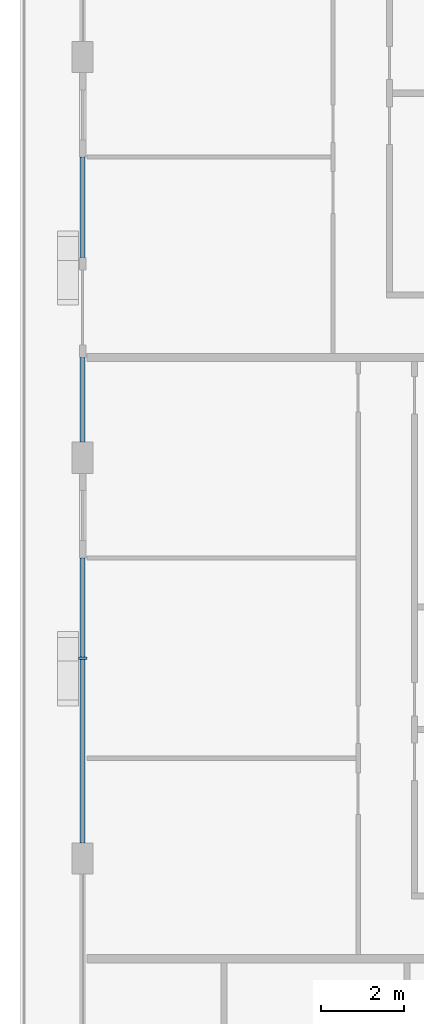
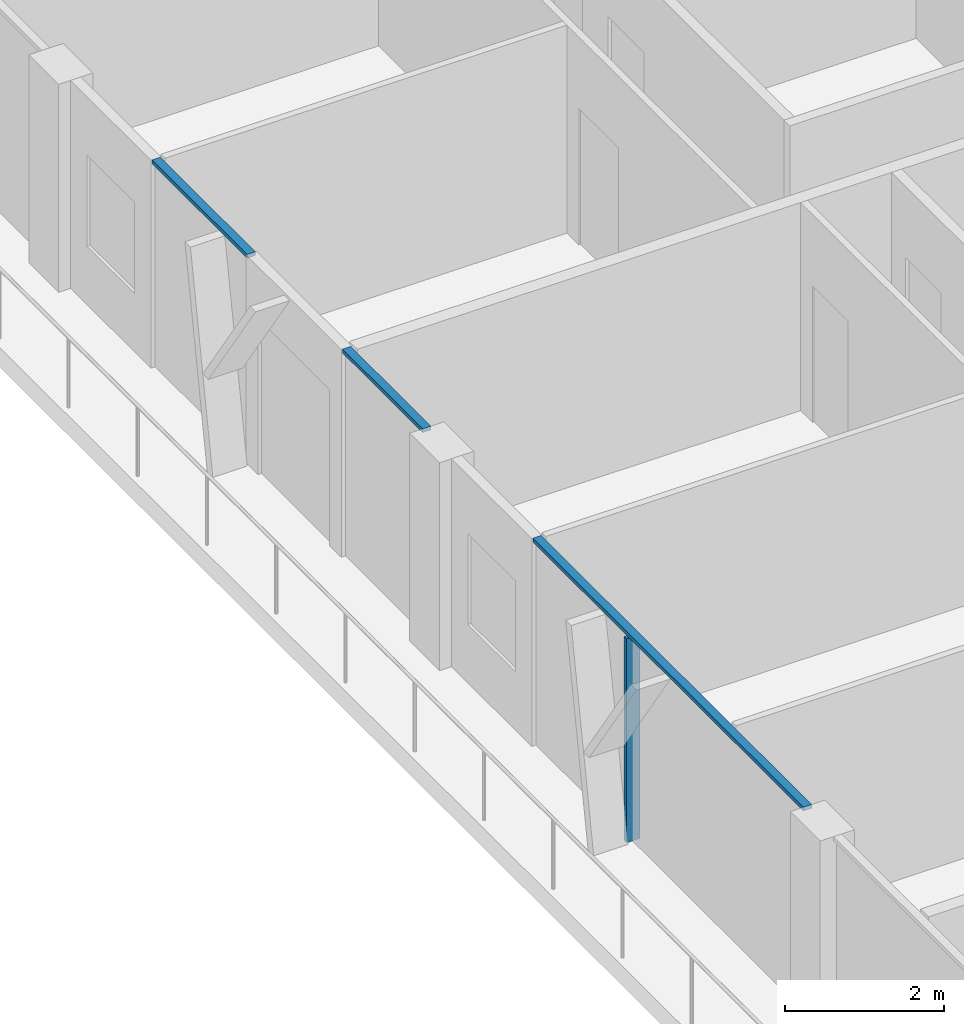
# One storey, part 3 of 21: 4 members, 2 elements without a shape of their own.
"""IFC4 building model written with IfcOpenShell, lengths in metres."""

import ifcopenshell
import ifcopenshell.guid

model = None  # the IFC model being written
_history = None  # IfcOwnerHistory: only IFC2X3 demands one
_inside = {}  # id of a spatial element -> (the spatial element, [elements in it])
_under = {}  # id of a project, library or spatial element -> (it, [spatial elements below it])
_declared = {}  # id of a project -> (the project, [libraries it declares])
_typed = {}  # id of a type object -> (the type object, [elements of that type])
_made_of = {}  # id of a material, layer set ... -> (it, [elements and type objects made of it])


def new_model(schema):
    """Start an empty IFC model of exactly this schema.

    Asked for "IFC4X3", IfcOpenShell would pick the latest addendum, in which some entities
    have other attributes; the version numbers below select the first issue.
    IFC2X3 requires an IfcOwnerHistory on every rooted entity: one is made here for all.
    """
    global model, _history
    if schema == "IFC4X3":
        model = ifcopenshell.file(schema_version=(4, 3, 0, 0))
    else:
        model = ifcopenshell.file(schema=schema)
    _inside.clear()
    _under.clear()
    _declared.clear()
    _typed.clear()
    _made_of.clear()
    _history = None
    if model.schema == "IFC2X3":
        org = make("IfcOrganization", Name="unknown")
        user = make(
            "IfcPersonAndOrganization",
            ThePerson=make("IfcPerson", FamilyName="unknown"),
            TheOrganization=org,
        )
        app = make(
            "IfcApplication",
            ApplicationDeveloper=org,
            Version="unknown",
            ApplicationFullName="unknown",
            ApplicationIdentifier="unknown",
        )
        _history = make(
            "IfcOwnerHistory",
            OwningUser=user,
            OwningApplication=app,
            ChangeAction="ADDED",
            CreationDate=0,
        )
    return model


def make(cls, **values):
    """One entity of the class cls with the attributes given. An attribute that is None is left unset."""
    return model.create_entity(
        cls, **{name: value for name, value in values.items() if value is not None}
    )


def rooted(cls, **values):
    """An entity with a GlobalId (a new one), such as an element, a storey or a relation."""
    return make(cls, GlobalId=ifcopenshell.guid.new(), OwnerHistory=_history, **values)


def si_unit(unit_type, name, prefix=None):
    """IfcSIUnit, for example si_unit("LENGTHUNIT", "METRE", prefix="MILLI")."""
    return make("IfcSIUnit", UnitType=unit_type, Prefix=prefix, Name=name)


def assignment(units):
    """IfcUnitAssignment: the units of a project."""
    return None if units is None else make("IfcUnitAssignment", Units=units)


def point(xyz):
    """IfcCartesianPoint."""
    return None if xyz is None else make("IfcCartesianPoint", Coordinates=xyz)


def direction(xyz):
    """IfcDirection."""
    return None if xyz is None else make("IfcDirection", DirectionRatios=xyz)


def frame(location, z_axis=None, x_axis=None):
    """IfcAxis2Placement3D, a coordinate frame: its origin and axes. An axis left out is left unset."""
    return make(
        "IfcAxis2Placement3D",
        Location=point(location),
        Axis=direction(z_axis),
        RefDirection=direction(x_axis),
    )


def frame_2d(location, x_axis=None):
    """IfcAxis2Placement2D, a coordinate frame in the plane: its origin and x axis."""
    return make(
        "IfcAxis2Placement2D", Location=point(location), RefDirection=direction(x_axis)
    )


def origin():
    """The frame at (0, 0, 0) with its axes left unset."""
    return frame((0.0, 0.0, 0.0))


def origin_2d():
    """The frame at (0, 0) in the plane with its x axis left unset."""
    return frame_2d((0.0, 0.0))


def place(relative_to, where):
    """IfcLocalPlacement: puts the frame where relative to a parent placement (None: the world)."""
    return make(
        "IfcLocalPlacement", PlacementRelTo=relative_to, RelativePlacement=where
    )


def context(
    kind, dimensions, precision=None, world=None, true_north=None, identifier=None
):
    """IfcGeometricRepresentationContext, for example the 3D "Model" context."""
    return make(
        "IfcGeometricRepresentationContext",
        ContextIdentifier=identifier,
        ContextType=kind,
        CoordinateSpaceDimension=dimensions,
        Precision=precision,
        WorldCoordinateSystem=world,
        TrueNorth=true_north,
    )


def subcontext(parent, identifier, kind, view, scale=None):
    """IfcGeometricRepresentationSubContext, for example "Body" below "Model"."""
    return make(
        "IfcGeometricRepresentationSubContext",
        ContextIdentifier=identifier,
        ContextType=kind,
        ParentContext=parent,
        TargetScale=scale,
        TargetView=view,
    )


def project(units=None, contexts=None):
    """IfcProject with its units and contexts."""
    return rooted(
        "IfcProject",
        Name="project",
        RepresentationContexts=contexts,
        UnitsInContext=assignment(units),
    )


def spatial(cls, under=None, at=None, **own):
    """A site, building, storey or space (cls), placed at a placement, below another one or the project."""
    s = rooted(cls, ObjectPlacement=at, **own)
    if under is not None:
        _under.setdefault(under.id(), (under, []))[1].append(s)
    return s


def profile(cls, at=None, kind="AREA", **sizes):
    """A parametric profile (cls). Its sizes go by their IFC names, for example OverallWidth=200.0."""
    return make(cls, ProfileType=kind, Position=at, **sizes)


def rectangle(**sizes):
    """IfcRectangleProfileDef."""
    return profile("IfcRectangleProfileDef", **sizes)


def extrude(swept, where, along, depth):
    """IfcExtrudedAreaSolid: the profile swept, set in the frame where, extruded along a direction by depth."""
    return make(
        "IfcExtrudedAreaSolid",
        SweptArea=swept,
        Position=where,
        ExtrudedDirection=direction(along),
        Depth=depth,
    )


def shape(context_of_items, identifier, shape_type, items):
    """IfcShapeRepresentation: the items that make up one representation, for example the "Body"."""
    return make(
        "IfcShapeRepresentation",
        ContextOfItems=context_of_items,
        RepresentationIdentifier=identifier,
        RepresentationType=shape_type,
        Items=items,
    )


def material(Name=None, Category=None):
    """IfcMaterial."""
    return make("IfcMaterial", Name=Name, Category=Category)


def layer(
    of_material, thickness, ventilated=None, Name=None, Category=None, Priority=None
):
    """IfcMaterialLayer: one layer of a wall or slab, of a material (None: an air gap)."""
    return make(
        "IfcMaterialLayer",
        Material=of_material,
        LayerThickness=thickness,
        IsVentilated=ventilated,
        Name=Name,
        Category=Category,
        Priority=Priority,
    )


def layer_set(layers, Name=None):
    """IfcMaterialLayerSet."""
    return make("IfcMaterialLayerSet", MaterialLayers=layers, LayerSetName=Name)


def material_profile(
    of_material, cross_section, Name=None, Category=None, Priority=None
):
    """IfcMaterialProfile: a cross section and its material."""
    return make(
        "IfcMaterialProfile",
        Name=Name,
        Material=of_material,
        Profile=cross_section,
        Priority=Priority,
        Category=Category,
    )


def profile_set(profiles, Name=None, composite=None):
    """IfcMaterialProfileSet."""
    return make(
        "IfcMaterialProfileSet",
        Name=Name,
        MaterialProfiles=profiles,
        CompositeProfile=composite,
    )


def made_of(thing, what):
    """Note that an element or type object is made of a material, layer set ...; save() writes the relation."""
    if what is not None:
        _made_of.setdefault(what.id(), (what, []))[1].append(thing)
    return thing


def type_object(cls, material=None, **own):
    """A type object (cls), such as IfcWallType, which elements share."""
    return made_of(rooted(cls, **own), material)


def element(
    cls,
    number,
    at=None,
    inside=None,
    cuts=None,
    type_object=None,
    material=None,
    context=None,
    identifier="Body",
    shape_type=None,
    held_by="IfcProductDefinitionShape",
    body=None,
    shapes=None,
    **own,
):
    """One element of the class cls, such as IfcWall. Its Tag is "e" and its number.

    at: its placement. inside: the storey or other place that contains it. cuts: it is an
    opening in that element (IfcRelVoidsElement). A single representation is given by context,
    identifier, shape_type and body (its items); several are given by shapes. held_by: the class
    of the entity that holds the representations. save() writes the other relations.
    """
    e = rooted(cls, Tag="e%d" % number, ObjectPlacement=at, **own)
    if body is not None:
        shapes = [shape(context, identifier, shape_type, body)]
    if shapes is not None:
        e.Representation = make(held_by, Representations=shapes)
    if inside is not None:
        _inside.setdefault(inside.id(), (inside, []))[1].append(e)
    if cuts is not None:
        rooted(
            "IfcRelVoidsElement", RelatingBuildingElement=cuts, RelatedOpeningElement=e
        )
    if type_object is not None:
        _typed.setdefault(type_object.id(), (type_object, []))[1].append(e)
    return made_of(e, material)


def aggregate(whole, parts):
    """IfcRelAggregates: a whole, such as a stair, and the parts it consists of."""
    return rooted("IfcRelAggregates", RelatingObject=whole, RelatedObjects=parts)


def save(model, path):
    """Write the relations noted so far, then the file.

    IfcRelAggregates (storeys below a building ...), IfcRelContainedInSpatialStructure (elements
    in a storey), IfcRelDefinesByType, IfcRelAssociatesMaterial and IfcRelDeclares: one each for
    every whole, place, type object, material and project.
    """
    for whole, parts in _under.values():
        aggregate(whole, parts)
    for where, things in _inside.values():
        rooted(
            "IfcRelContainedInSpatialStructure",
            RelatedElements=things,
            RelatingStructure=where,
        )
    for kind, things in _typed.values():
        rooted("IfcRelDefinesByType", RelatedObjects=things, RelatingType=kind)
    for what, things in _made_of.values():
        rooted("IfcRelAssociatesMaterial", RelatedObjects=things, RelatingMaterial=what)
    for by, libraries in _declared.values():
        rooted("IfcRelDeclares", RelatingContext=by, RelatedDefinitions=libraries)
    model.write(path)


model = new_model("IFC4")

# Units and contexts
model_context = context("Model", 3, precision=1e-05, world=origin(), true_north=direction((0.0, 1.0)))
body_context = subcontext(model_context, "Body", "Model", "MODEL_VIEW")
ifc_project = project(units=[si_unit("LENGTHUNIT", "METRE"), si_unit("AREAUNIT", "SQUARE_METRE"), si_unit("VOLUMEUNIT", "CUBIC_METRE"), si_unit("PLANEANGLEUNIT", "RADIAN"), si_unit("MASSUNIT", "GRAM", prefix="KILO")], contexts=[model_context])

# Site, building, storey
site_placement = place(None, origin())
site = spatial("IfcSite", under=ifc_project, at=site_placement, CompositionType="ELEMENT")
building_placement = place(site_placement, origin())
building = spatial("IfcBuilding", under=site, at=building_placement, Name="Madar Terraces", CompositionType="ELEMENT")
storey_placement = place(building_placement, frame((0.0, 0.0, 268.60009765625)))
storey = spatial("IfcBuildingStorey", under=building, at=storey_placement, Name="L70", CompositionType="ELEMENT", Elevation=268.60009765625)

# Curtain wall, member
ifc_material_1 = material(Name="Glass, ceramic frit dark grey, with black aluminium frame", Category="aluminium")
ifc_layer = layer(ifc_material_1, 0.199951171875)
ifc_layer_set = layer_set([ifc_layer], Name="Facade curtain wall, fritted glass")
curtain_wall_type = type_object("IfcCurtainWallType", Name="Facade curtain wall, fritted glass", PredefinedType="NOTDEFINED", material=ifc_layer_set)
curtain_wall_1_placement = place(storey_placement, origin())
curtain_wall_1 = element("IfcCurtainWall", 1, at=curtain_wall_1_placement, inside=storey, type_object=curtain_wall_type, Name="Outer skin curtain wall west bay 3", PredefinedType="NOTDEFINED")
ifc_material_2 = material(Name="Aluminium, black anodised", Category="aluminium")
ifc_material_profile_1 = material_profile(ifc_material_2, rectangle(XDim=0.199951171875, YDim=0.06005859375, at=origin_2d()), Name="Facade mullion 60x200")
ifc_profile_set_1 = profile_set([ifc_material_profile_1], Name="Aluminium, black anodised")
member_type_1 = type_object("IfcMemberType", Name="Facade mullion 60x200", PredefinedType="MULLION", material=ifc_profile_set_1)
member_1_placement = place(storey_placement, frame((0.0, 19.199951171875, 0.0), z_axis=(0.0, 0.0, 1.0), x_axis=(1.0, 0.0, 0.0)))
member_1 = element("IfcMember", 2, at=member_1_placement, type_object=member_type_1, Name="Mullion 1", PredefinedType="MULLION", context=body_context, shape_type="SweptSolid", body=[
    extrude(rectangle(XDim=0.199951171875, YDim=0.06005859375, at=origin_2d()), origin(), (0.0, 0.0, 1.0), 3.139892578125),
])

# Curtain wall, members
curtain_wall_2_placement = place(storey_placement, origin())
curtain_wall_2 = element("IfcCurtainWall", 3, at=curtain_wall_2_placement, inside=storey, type_object=curtain_wall_type, Name="Outer skin curtain wall west bay 2", PredefinedType="NOTDEFINED")
ifc_material_3 = material(Name="Aluminium, black anodised", Category="aluminium")
ifc_material_profile_2 = material_profile(ifc_material_3, rectangle(XDim=0.1201171875, YDim=0.06005859375, at=origin_2d()), Name="Facade transom 60x120")
ifc_profile_set_2 = profile_set([ifc_material_profile_2], Name="Aluminium, black anodised")
member_type_2 = type_object("IfcMemberType", Name="Facade transom 60x120", PredefinedType="USERDEFINED", material=ifc_profile_set_2)
member_2_placement = place(storey_placement, frame((0.0, 31.199951171875, 3.169921875), z_axis=(0.0, -1.0, 0.0), x_axis=(1.0, 0.0, 0.0)))
member_2 = element("IfcMember", 4, at=member_2_placement, type_object=member_type_2, Name="Transom 1", ObjectType="TRANSOM", PredefinedType="USERDEFINED", context=body_context, shape_type="SweptSolid", body=[
    extrude(rectangle(XDim=0.1201171875, YDim=0.06005859375, at=origin_2d()), origin(), (0.0, 0.0, 1.0), 2.39990234375),
])
member_3_placement = place(storey_placement, frame((0.0, 26.39990234375, 3.169921875), z_axis=(0.0, -1.0, 0.0), x_axis=(1.0, 0.0, 0.0)))
member_3 = element("IfcMember", 5, at=member_3_placement, type_object=member_type_2, Name="Transom 2", ObjectType="TRANSOM", PredefinedType="USERDEFINED", context=body_context, shape_type="SweptSolid", body=[
    extrude(rectangle(XDim=0.1201171875, YDim=0.06005859375, at=origin_2d()), origin(), (0.0, 0.0, 1.0), 2.02490234375),
])
aggregate(curtain_wall_2, [member_2, member_3])

# Member
member_4_placement = place(storey_placement, frame((0.0, 21.60009765625, 3.169921875), z_axis=(0.0, -1.0, 0.0), x_axis=(1.0, 0.0, 0.0)))
member_4 = element("IfcMember", 6, at=member_4_placement, type_object=member_type_2, Name="Transom 1", ObjectType="TRANSOM", PredefinedType="USERDEFINED", context=body_context, shape_type="SweptSolid", body=[
    extrude(rectangle(XDim=0.1201171875, YDim=0.06005859375, at=origin_2d()), origin(), (0.0, 0.0, 1.0), 6.8251953125),
])

aggregate(curtain_wall_1, [member_1, member_4])

save(model, "model.ifc")
